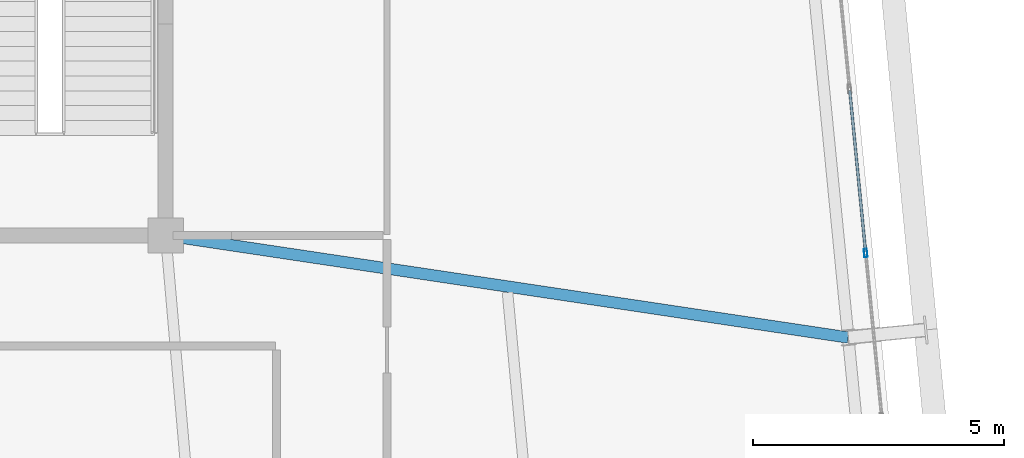
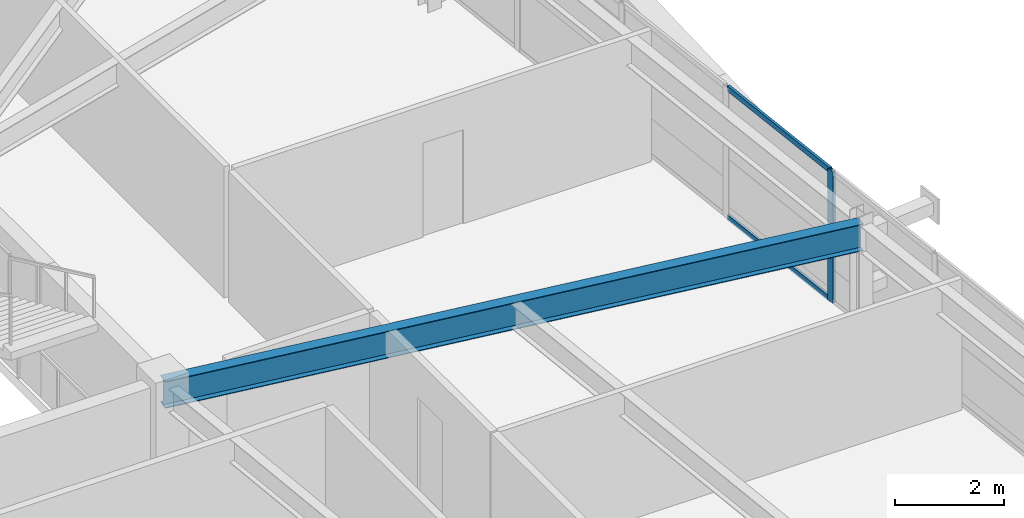
# One storey, part 25 of 54: 3 members, 1 beam, 1 element without a shape of its own.
"""IFC4 building model written with IfcOpenShell, lengths in metres."""

import ifcopenshell
import ifcopenshell.guid

model = None  # the IFC model being written
_history = None  # IfcOwnerHistory: only IFC2X3 demands one
_inside = {}  # id of a spatial element -> (the spatial element, [elements in it])
_under = {}  # id of a project, library or spatial element -> (it, [spatial elements below it])
_declared = {}  # id of a project -> (the project, [libraries it declares])
_typed = {}  # id of a type object -> (the type object, [elements of that type])
_made_of = {}  # id of a material, layer set ... -> (it, [elements and type objects made of it])


def new_model(schema):
    """Start an empty IFC model of exactly this schema.

    Asked for "IFC4X3", IfcOpenShell would pick the latest addendum, in which some entities
    have other attributes; the version numbers below select the first issue.
    IFC2X3 requires an IfcOwnerHistory on every rooted entity: one is made here for all.
    """
    global model, _history
    if schema == "IFC4X3":
        model = ifcopenshell.file(schema_version=(4, 3, 0, 0))
    else:
        model = ifcopenshell.file(schema=schema)
    _inside.clear()
    _under.clear()
    _declared.clear()
    _typed.clear()
    _made_of.clear()
    _history = None
    if model.schema == "IFC2X3":
        org = make("IfcOrganization", Name="unknown")
        user = make(
            "IfcPersonAndOrganization",
            ThePerson=make("IfcPerson", FamilyName="unknown"),
            TheOrganization=org,
        )
        app = make(
            "IfcApplication",
            ApplicationDeveloper=org,
            Version="unknown",
            ApplicationFullName="unknown",
            ApplicationIdentifier="unknown",
        )
        _history = make(
            "IfcOwnerHistory",
            OwningUser=user,
            OwningApplication=app,
            ChangeAction="ADDED",
            CreationDate=0,
        )
    return model


def make(cls, **values):
    """One entity of the class cls with the attributes given. An attribute that is None is left unset."""
    return model.create_entity(
        cls, **{name: value for name, value in values.items() if value is not None}
    )


def rooted(cls, **values):
    """An entity with a GlobalId (a new one), such as an element, a storey or a relation."""
    return make(cls, GlobalId=ifcopenshell.guid.new(), OwnerHistory=_history, **values)


def si_unit(unit_type, name, prefix=None):
    """IfcSIUnit, for example si_unit("LENGTHUNIT", "METRE", prefix="MILLI")."""
    return make("IfcSIUnit", UnitType=unit_type, Prefix=prefix, Name=name)


def assignment(units):
    """IfcUnitAssignment: the units of a project."""
    return None if units is None else make("IfcUnitAssignment", Units=units)


def point(xyz):
    """IfcCartesianPoint."""
    return None if xyz is None else make("IfcCartesianPoint", Coordinates=xyz)


def direction(xyz):
    """IfcDirection."""
    return None if xyz is None else make("IfcDirection", DirectionRatios=xyz)


def frame(location, z_axis=None, x_axis=None):
    """IfcAxis2Placement3D, a coordinate frame: its origin and axes. An axis left out is left unset."""
    return make(
        "IfcAxis2Placement3D",
        Location=point(location),
        Axis=direction(z_axis),
        RefDirection=direction(x_axis),
    )


def frame_2d(location, x_axis=None):
    """IfcAxis2Placement2D, a coordinate frame in the plane: its origin and x axis."""
    return make(
        "IfcAxis2Placement2D", Location=point(location), RefDirection=direction(x_axis)
    )


def origin():
    """The frame at (0, 0, 0) with its axes left unset."""
    return frame((0.0, 0.0, 0.0))


def origin_2d():
    """The frame at (0, 0) in the plane with its x axis left unset."""
    return frame_2d((0.0, 0.0))


def place(relative_to, where):
    """IfcLocalPlacement: puts the frame where relative to a parent placement (None: the world)."""
    return make(
        "IfcLocalPlacement", PlacementRelTo=relative_to, RelativePlacement=where
    )


def context(
    kind, dimensions, precision=None, world=None, true_north=None, identifier=None
):
    """IfcGeometricRepresentationContext, for example the 3D "Model" context."""
    return make(
        "IfcGeometricRepresentationContext",
        ContextIdentifier=identifier,
        ContextType=kind,
        CoordinateSpaceDimension=dimensions,
        Precision=precision,
        WorldCoordinateSystem=world,
        TrueNorth=true_north,
    )


def subcontext(parent, identifier, kind, view, scale=None):
    """IfcGeometricRepresentationSubContext, for example "Body" below "Model"."""
    return make(
        "IfcGeometricRepresentationSubContext",
        ContextIdentifier=identifier,
        ContextType=kind,
        ParentContext=parent,
        TargetScale=scale,
        TargetView=view,
    )


def project(units=None, contexts=None):
    """IfcProject with its units and contexts."""
    return rooted(
        "IfcProject",
        Name="project",
        RepresentationContexts=contexts,
        UnitsInContext=assignment(units),
    )


def spatial(cls, under=None, at=None, **own):
    """A site, building, storey or space (cls), placed at a placement, below another one or the project."""
    s = rooted(cls, ObjectPlacement=at, **own)
    if under is not None:
        _under.setdefault(under.id(), (under, []))[1].append(s)
    return s


def profile(cls, at=None, kind="AREA", **sizes):
    """A parametric profile (cls). Its sizes go by their IFC names, for example OverallWidth=200.0."""
    return make(cls, ProfileType=kind, Position=at, **sizes)


def hollow_rectangle(**sizes):
    """IfcRectangleHollowProfileDef."""
    return profile("IfcRectangleHollowProfileDef", **sizes)


def i_section(**sizes):
    """IfcIShapeProfileDef."""
    return profile("IfcIShapeProfileDef", **sizes)


def extrude(swept, where, along, depth):
    """IfcExtrudedAreaSolid: the profile swept, set in the frame where, extruded along a direction by depth."""
    return make(
        "IfcExtrudedAreaSolid",
        SweptArea=swept,
        Position=where,
        ExtrudedDirection=direction(along),
        Depth=depth,
    )


def shape(context_of_items, identifier, shape_type, items):
    """IfcShapeRepresentation: the items that make up one representation, for example the "Body"."""
    return make(
        "IfcShapeRepresentation",
        ContextOfItems=context_of_items,
        RepresentationIdentifier=identifier,
        RepresentationType=shape_type,
        Items=items,
    )


def source(mapping_origin, context_of_items, identifier, shape_type, items):
    """IfcRepresentationMap: a shape defined once, which mapped items show again and again."""
    return make(
        "IfcRepresentationMap",
        MappingOrigin=mapping_origin,
        MappedRepresentation=shape(context_of_items, identifier, shape_type, items),
    )


def transform(
    local_origin,
    x_axis=None,
    y_axis=None,
    z_axis=None,
    scale=None,
    scale2=None,
    scale3=None,
    uniform=True,
):
    """IfcCartesianTransformationOperator3D, or its non-uniform kind. x_axis, y_axis, z_axis: its Axis1, 2, 3."""
    if uniform:
        return make(
            "IfcCartesianTransformationOperator3D",
            Axis1=direction(x_axis),
            Axis2=direction(y_axis),
            LocalOrigin=point(local_origin),
            Scale=scale,
            Axis3=direction(z_axis),
        )
    return make(
        "IfcCartesianTransformationOperator3DnonUniform",
        Axis1=direction(x_axis),
        Axis2=direction(y_axis),
        LocalOrigin=point(local_origin),
        Scale=scale,
        Axis3=direction(z_axis),
        Scale2=scale2,
        Scale3=scale3,
    )


def mapped(mapping_source, mapping_target):
    """IfcMappedItem: shows the shape of a source again, moved by a transform."""
    return make(
        "IfcMappedItem", MappingSource=mapping_source, MappingTarget=mapping_target
    )


def material(Name=None, Category=None):
    """IfcMaterial."""
    return make("IfcMaterial", Name=Name, Category=Category)


def layer(
    of_material, thickness, ventilated=None, Name=None, Category=None, Priority=None
):
    """IfcMaterialLayer: one layer of a wall or slab, of a material (None: an air gap)."""
    return make(
        "IfcMaterialLayer",
        Material=of_material,
        LayerThickness=thickness,
        IsVentilated=ventilated,
        Name=Name,
        Category=Category,
        Priority=Priority,
    )


def layer_set(layers, Name=None):
    """IfcMaterialLayerSet."""
    return make("IfcMaterialLayerSet", MaterialLayers=layers, LayerSetName=Name)


def material_profile(
    of_material, cross_section, Name=None, Category=None, Priority=None
):
    """IfcMaterialProfile: a cross section and its material."""
    return make(
        "IfcMaterialProfile",
        Name=Name,
        Material=of_material,
        Profile=cross_section,
        Priority=Priority,
        Category=Category,
    )


def profile_set(profiles, Name=None, composite=None):
    """IfcMaterialProfileSet."""
    return make(
        "IfcMaterialProfileSet",
        Name=Name,
        MaterialProfiles=profiles,
        CompositeProfile=composite,
    )


def made_of(thing, what):
    """Note that an element or type object is made of a material, layer set ...; save() writes the relation."""
    if what is not None:
        _made_of.setdefault(what.id(), (what, []))[1].append(thing)
    return thing


def type_object(cls, material=None, **own):
    """A type object (cls), such as IfcWallType, which elements share."""
    return made_of(rooted(cls, **own), material)


def element(
    cls,
    number,
    at=None,
    inside=None,
    cuts=None,
    type_object=None,
    material=None,
    context=None,
    identifier="Body",
    shape_type=None,
    held_by="IfcProductDefinitionShape",
    body=None,
    shapes=None,
    **own,
):
    """One element of the class cls, such as IfcWall. Its Tag is "e" and its number.

    at: its placement. inside: the storey or other place that contains it. cuts: it is an
    opening in that element (IfcRelVoidsElement). A single representation is given by context,
    identifier, shape_type and body (its items); several are given by shapes. held_by: the class
    of the entity that holds the representations. save() writes the other relations.
    """
    e = rooted(cls, Tag="e%d" % number, ObjectPlacement=at, **own)
    if body is not None:
        shapes = [shape(context, identifier, shape_type, body)]
    if shapes is not None:
        e.Representation = make(held_by, Representations=shapes)
    if inside is not None:
        _inside.setdefault(inside.id(), (inside, []))[1].append(e)
    if cuts is not None:
        rooted(
            "IfcRelVoidsElement", RelatingBuildingElement=cuts, RelatedOpeningElement=e
        )
    if type_object is not None:
        _typed.setdefault(type_object.id(), (type_object, []))[1].append(e)
    return made_of(e, material)


def aggregate(whole, parts):
    """IfcRelAggregates: a whole, such as a stair, and the parts it consists of."""
    return rooted("IfcRelAggregates", RelatingObject=whole, RelatedObjects=parts)


def save(model, path):
    """Write the relations noted so far, then the file.

    IfcRelAggregates (storeys below a building ...), IfcRelContainedInSpatialStructure (elements
    in a storey), IfcRelDefinesByType, IfcRelAssociatesMaterial and IfcRelDeclares: one each for
    every whole, place, type object, material and project.
    """
    for whole, parts in _under.values():
        aggregate(whole, parts)
    for where, things in _inside.values():
        rooted(
            "IfcRelContainedInSpatialStructure",
            RelatedElements=things,
            RelatingStructure=where,
        )
    for kind, things in _typed.values():
        rooted("IfcRelDefinesByType", RelatedObjects=things, RelatingType=kind)
    for what, things in _made_of.values():
        rooted("IfcRelAssociatesMaterial", RelatedObjects=things, RelatingMaterial=what)
    for by, libraries in _declared.values():
        rooted("IfcRelDeclares", RelatingContext=by, RelatedDefinitions=libraries)
    model.write(path)


model = new_model("IFC4")

# Units and contexts
model_context = context("Model", 3, precision=1e-05, world=origin(), true_north=direction((0.0, 1.0)))
body_context = subcontext(model_context, "Body", "Model", "MODEL_VIEW")
ifc_project = project(units=[si_unit("LENGTHUNIT", "METRE"), si_unit("AREAUNIT", "SQUARE_METRE"), si_unit("VOLUMEUNIT", "CUBIC_METRE"), si_unit("PLANEANGLEUNIT", "RADIAN"), si_unit("MASSUNIT", "GRAM", prefix="KILO")], contexts=[model_context])

# Site, building, storey
site_placement = place(None, origin())
site = spatial("IfcSite", under=ifc_project, at=site_placement, CompositionType="ELEMENT")
building_placement = place(site_placement, origin())
building = spatial("IfcBuilding", under=site, at=building_placement, Name="Taldren Reach Tower", CompositionType="ELEMENT")
storey_placement = place(building_placement, frame((0.0, 0.0, 102.89990234375)))
storey = spatial("IfcBuildingStorey", under=building, at=storey_placement, Name="L31", CompositionType="ELEMENT", Elevation=102.89990234375)

# Beam
ifc_material_1 = material(Name="Steel Gr 350 (350PLUS)", Category="steel")
ifc_material_profile_1 = material_profile(ifc_material_1, i_section(OverallWidth=0.22802734375, OverallDepth=0.60205078125, WebThickness=0.010498046875, FlangeThickness=0.014892578125, at=origin_2d()), Name="610UB101")
ifc_profile_set_1 = profile_set([ifc_material_profile_1], Name="Steel Gr 350 (350PLUS)")
beam_type = type_object("IfcBeamType", Name="BM-UB610B", PredefinedType="BEAM", material=ifc_profile_set_1)
shared_shape_1 = source(origin(), body_context, "Body", "SweptSolid", [
    extrude(i_section(OverallWidth=0.22802734375, OverallDepth=0.60205078125, WebThickness=0.010498046875, FlangeThickness=0.014892578125, at=origin_2d()), origin(), (0.0, 0.0, 1.0), 13.720703125),
])
beam_placement = place(storey_placement, frame((51.0, 24.0, 2.629150390625), z_axis=(0.988983679407, -0.148024598856, 0.0), x_axis=(0.148024598856, 0.988983679407, 0.0)))
element("IfcBeam", 1, at=beam_placement, inside=storey, type_object=beam_type, Name="Primary floor girder B2-E2 L31", PredefinedType="BEAM", context=body_context, shape_type="MappedRepresentation", body=[
    mapped(shared_shape_1, transform((0.0, 0.0, 0.0), scale=1.0)),
])

# Curtain wall, members
ifc_material_2 = material(Name="Aluminium and Low-E Glass Unitised System", Category="aluminium")
ifc_layer = layer(ifc_material_2, 0.159912109375)
ifc_layer_set = layer_set([ifc_layer], Name="Aluminium and Low-E Glass Unitised System")
curtain_wall_type = type_object("IfcCurtainWallType", Name="CW-SYS-3", PredefinedType="NOTDEFINED", material=ifc_layer_set)
curtain_wall_placement = place(storey_placement, origin())
curtain_wall = element("IfcCurtainWall", 2, at=curtain_wall_placement, inside=storey, type_object=curtain_wall_type, Name="Unitised curtain wall CW-L31-E", PredefinedType="NOTDEFINED")
ifc_material_3 = material(Name="Anodised Aluminium 6063-T6", Category="aluminium")
ifc_material_profile_2 = material_profile(ifc_material_3, hollow_rectangle(XDim=0.06494140625, YDim=0.1650390625, WallThickness=0.00390625, at=origin_2d()), Name="ALU-165x65x4RHS")
ifc_profile_set_2 = profile_set([ifc_material_profile_2], Name="Anodised Aluminium 6063-T6")
member_type_1 = type_object("IfcMemberType", Name="CW-MUL-165", PredefinedType="MULLION", material=ifc_profile_set_2)
shared_shape_2 = source(origin(), body_context, "Body", "SweptSolid", [
    extrude(hollow_rectangle(XDim=0.06494140625, YDim=0.1650390625, WallThickness=0.00390625, at=origin_2d()), origin(), (0.0, 0.0, 1.0), 2.93017578125),
])
member_1_placement = place(storey_placement, frame((64.9169921875, 23.649658203125, 0.0), z_axis=(0.0, 0.0, 1.0), x_axis=(-0.99522741555, -0.09758274098, 0.0)))
member_1 = element("IfcMember", 3, at=member_1_placement, type_object=member_type_1, Name="CW-3 mullion 6", PredefinedType="MULLION", context=body_context, shape_type="MappedRepresentation", body=[
    mapped(shared_shape_2, transform((0.0, 0.0, 0.0), scale=1.0)),
])
ifc_material_profile_3 = material_profile(ifc_material_3, hollow_rectangle(XDim=0.054931640625, YDim=0.1201171875, WallThickness=0.0029296875, at=origin_2d()), Name="ALU-120x55x3RHS")
ifc_profile_set_3 = profile_set([ifc_material_profile_3], Name="Anodised Aluminium 6063-T6")
member_type_2 = type_object("IfcMemberType", Name="CW-TRN-135", PredefinedType="USERDEFINED", material=ifc_profile_set_3)
shared_shape_3 = source(origin(), body_context, "Body", "SweptSolid", [
    extrude(hollow_rectangle(XDim=0.054931640625, YDim=0.1201171875, WallThickness=0.0029296875, at=origin_2d()), origin(), (0.0, 0.0, 1.0), 3.212646484375),
])
member_2_placement = place(storey_placement, frame((64.913818359375, 23.68212890625, 0.027587890625), z_axis=(-0.097577327663, 0.995227946315, 0.0), x_axis=(-0.995227946315, -0.097577327663, 0.0)))
member_2 = element("IfcMember", 4, at=member_2_placement, type_object=member_type_2, Name="CW-3 transom 6.1", ObjectType="TRANSOM", PredefinedType="USERDEFINED", context=body_context, shape_type="MappedRepresentation", body=[
    mapped(shared_shape_3, transform((0.0, 0.0, 0.0), scale=1.0)),
])
member_3_placement = place(storey_placement, frame((64.913818359375, 23.68212890625, 2.902587890625), z_axis=(-0.097577327663, 0.995227946315, 0.0), x_axis=(-0.995227946315, -0.097577327663, 0.0)))
member_3 = element("IfcMember", 5, at=member_3_placement, type_object=member_type_2, Name="CW-3 transom 6.2", ObjectType="TRANSOM", PredefinedType="USERDEFINED", context=body_context, shape_type="MappedRepresentation", body=[
    mapped(shared_shape_3, transform((0.0, 0.0, 0.0), scale=1.0)),
])
aggregate(curtain_wall, [member_1, member_2, member_3])

save(model, "model.ifc")
